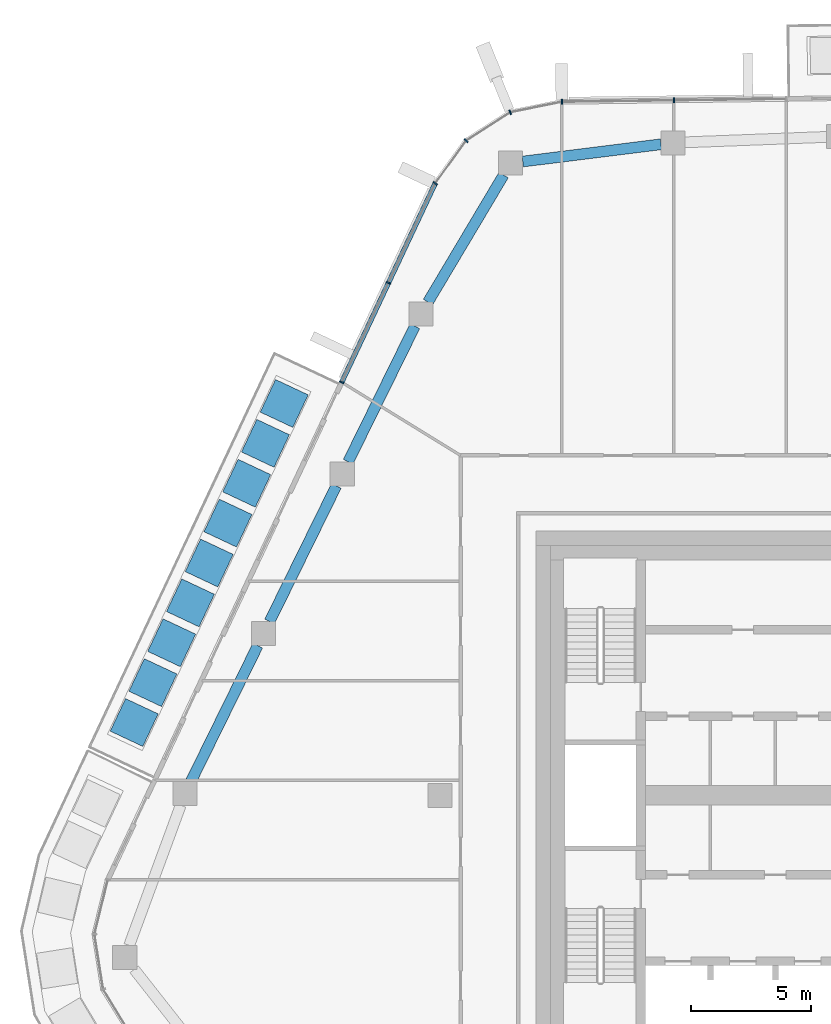
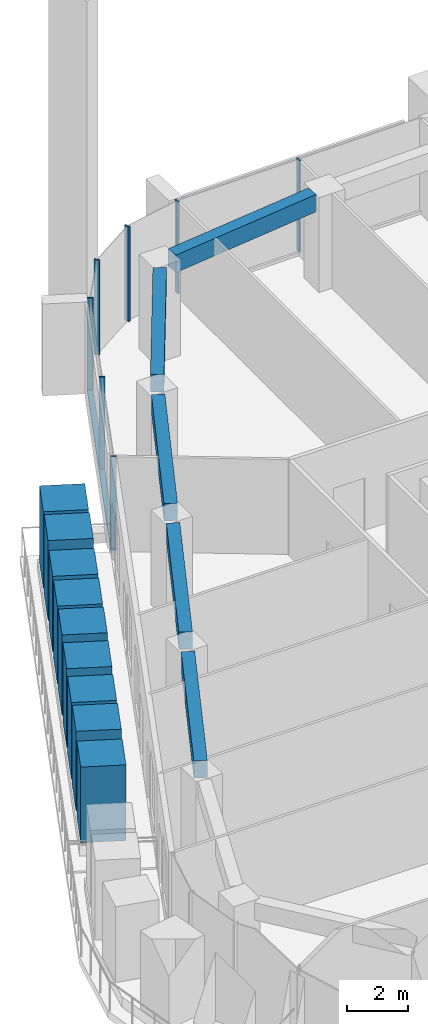
# One storey, part 6 of 24: 17 members, 5 beams, 3 elements without a shape of their own.
"""IFC4 building model written with IfcOpenShell, lengths in metres."""

import ifcopenshell
import ifcopenshell.guid

model = None  # the IFC model being written
_history = None  # IfcOwnerHistory: only IFC2X3 demands one
_inside = {}  # id of a spatial element -> (the spatial element, [elements in it])
_under = {}  # id of a project, library or spatial element -> (it, [spatial elements below it])
_declared = {}  # id of a project -> (the project, [libraries it declares])
_typed = {}  # id of a type object -> (the type object, [elements of that type])
_made_of = {}  # id of a material, layer set ... -> (it, [elements and type objects made of it])


def new_model(schema):
    """Start an empty IFC model of exactly this schema.

    Asked for "IFC4X3", IfcOpenShell would pick the latest addendum, in which some entities
    have other attributes; the version numbers below select the first issue.
    IFC2X3 requires an IfcOwnerHistory on every rooted entity: one is made here for all.
    """
    global model, _history
    if schema == "IFC4X3":
        model = ifcopenshell.file(schema_version=(4, 3, 0, 0))
    else:
        model = ifcopenshell.file(schema=schema)
    _inside.clear()
    _under.clear()
    _declared.clear()
    _typed.clear()
    _made_of.clear()
    _history = None
    if model.schema == "IFC2X3":
        org = make("IfcOrganization", Name="unknown")
        user = make(
            "IfcPersonAndOrganization",
            ThePerson=make("IfcPerson", FamilyName="unknown"),
            TheOrganization=org,
        )
        app = make(
            "IfcApplication",
            ApplicationDeveloper=org,
            Version="unknown",
            ApplicationFullName="unknown",
            ApplicationIdentifier="unknown",
        )
        _history = make(
            "IfcOwnerHistory",
            OwningUser=user,
            OwningApplication=app,
            ChangeAction="ADDED",
            CreationDate=0,
        )
    return model


def make(cls, **values):
    """One entity of the class cls with the attributes given. An attribute that is None is left unset."""
    return model.create_entity(
        cls, **{name: value for name, value in values.items() if value is not None}
    )


def rooted(cls, **values):
    """An entity with a GlobalId (a new one), such as an element, a storey or a relation."""
    return make(cls, GlobalId=ifcopenshell.guid.new(), OwnerHistory=_history, **values)


def si_unit(unit_type, name, prefix=None):
    """IfcSIUnit, for example si_unit("LENGTHUNIT", "METRE", prefix="MILLI")."""
    return make("IfcSIUnit", UnitType=unit_type, Prefix=prefix, Name=name)


def assignment(units):
    """IfcUnitAssignment: the units of a project."""
    return None if units is None else make("IfcUnitAssignment", Units=units)


def point(xyz):
    """IfcCartesianPoint."""
    return None if xyz is None else make("IfcCartesianPoint", Coordinates=xyz)


def direction(xyz):
    """IfcDirection."""
    return None if xyz is None else make("IfcDirection", DirectionRatios=xyz)


def frame(location, z_axis=None, x_axis=None):
    """IfcAxis2Placement3D, a coordinate frame: its origin and axes. An axis left out is left unset."""
    return make(
        "IfcAxis2Placement3D",
        Location=point(location),
        Axis=direction(z_axis),
        RefDirection=direction(x_axis),
    )


def frame_2d(location, x_axis=None):
    """IfcAxis2Placement2D, a coordinate frame in the plane: its origin and x axis."""
    return make(
        "IfcAxis2Placement2D", Location=point(location), RefDirection=direction(x_axis)
    )


def origin():
    """The frame at (0, 0, 0) with its axes left unset."""
    return frame((0.0, 0.0, 0.0))


def origin_2d():
    """The frame at (0, 0) in the plane with its x axis left unset."""
    return frame_2d((0.0, 0.0))


def place(relative_to, where):
    """IfcLocalPlacement: puts the frame where relative to a parent placement (None: the world)."""
    return make(
        "IfcLocalPlacement", PlacementRelTo=relative_to, RelativePlacement=where
    )


def context(
    kind, dimensions, precision=None, world=None, true_north=None, identifier=None
):
    """IfcGeometricRepresentationContext, for example the 3D "Model" context."""
    return make(
        "IfcGeometricRepresentationContext",
        ContextIdentifier=identifier,
        ContextType=kind,
        CoordinateSpaceDimension=dimensions,
        Precision=precision,
        WorldCoordinateSystem=world,
        TrueNorth=true_north,
    )


def subcontext(parent, identifier, kind, view, scale=None):
    """IfcGeometricRepresentationSubContext, for example "Body" below "Model"."""
    return make(
        "IfcGeometricRepresentationSubContext",
        ContextIdentifier=identifier,
        ContextType=kind,
        ParentContext=parent,
        TargetScale=scale,
        TargetView=view,
    )


def project(units=None, contexts=None):
    """IfcProject with its units and contexts."""
    return rooted(
        "IfcProject",
        Name="project",
        RepresentationContexts=contexts,
        UnitsInContext=assignment(units),
    )


def spatial(cls, under=None, at=None, **own):
    """A site, building, storey or space (cls), placed at a placement, below another one or the project."""
    s = rooted(cls, ObjectPlacement=at, **own)
    if under is not None:
        _under.setdefault(under.id(), (under, []))[1].append(s)
    return s


def profile(cls, at=None, kind="AREA", **sizes):
    """A parametric profile (cls). Its sizes go by their IFC names, for example OverallWidth=200.0."""
    return make(cls, ProfileType=kind, Position=at, **sizes)


def rectangle(**sizes):
    """IfcRectangleProfileDef."""
    return profile("IfcRectangleProfileDef", **sizes)


def extrude(swept, where, along, depth):
    """IfcExtrudedAreaSolid: the profile swept, set in the frame where, extruded along a direction by depth."""
    return make(
        "IfcExtrudedAreaSolid",
        SweptArea=swept,
        Position=where,
        ExtrudedDirection=direction(along),
        Depth=depth,
    )


def shape(context_of_items, identifier, shape_type, items):
    """IfcShapeRepresentation: the items that make up one representation, for example the "Body"."""
    return make(
        "IfcShapeRepresentation",
        ContextOfItems=context_of_items,
        RepresentationIdentifier=identifier,
        RepresentationType=shape_type,
        Items=items,
    )


def material(Name=None, Category=None):
    """IfcMaterial."""
    return make("IfcMaterial", Name=Name, Category=Category)


def layer(
    of_material, thickness, ventilated=None, Name=None, Category=None, Priority=None
):
    """IfcMaterialLayer: one layer of a wall or slab, of a material (None: an air gap)."""
    return make(
        "IfcMaterialLayer",
        Material=of_material,
        LayerThickness=thickness,
        IsVentilated=ventilated,
        Name=Name,
        Category=Category,
        Priority=Priority,
    )


def layer_set(layers, Name=None):
    """IfcMaterialLayerSet."""
    return make("IfcMaterialLayerSet", MaterialLayers=layers, LayerSetName=Name)


def material_profile(
    of_material, cross_section, Name=None, Category=None, Priority=None
):
    """IfcMaterialProfile: a cross section and its material."""
    return make(
        "IfcMaterialProfile",
        Name=Name,
        Material=of_material,
        Profile=cross_section,
        Priority=Priority,
        Category=Category,
    )


def profile_set(profiles, Name=None, composite=None):
    """IfcMaterialProfileSet."""
    return make(
        "IfcMaterialProfileSet",
        Name=Name,
        MaterialProfiles=profiles,
        CompositeProfile=composite,
    )


def made_of(thing, what):
    """Note that an element or type object is made of a material, layer set ...; save() writes the relation."""
    if what is not None:
        _made_of.setdefault(what.id(), (what, []))[1].append(thing)
    return thing


def type_object(cls, material=None, **own):
    """A type object (cls), such as IfcWallType, which elements share."""
    return made_of(rooted(cls, **own), material)


def element(
    cls,
    number,
    at=None,
    inside=None,
    cuts=None,
    type_object=None,
    material=None,
    context=None,
    identifier="Body",
    shape_type=None,
    held_by="IfcProductDefinitionShape",
    body=None,
    shapes=None,
    **own,
):
    """One element of the class cls, such as IfcWall. Its Tag is "e" and its number.

    at: its placement. inside: the storey or other place that contains it. cuts: it is an
    opening in that element (IfcRelVoidsElement). A single representation is given by context,
    identifier, shape_type and body (its items); several are given by shapes. held_by: the class
    of the entity that holds the representations. save() writes the other relations.
    """
    e = rooted(cls, Tag="e%d" % number, ObjectPlacement=at, **own)
    if body is not None:
        shapes = [shape(context, identifier, shape_type, body)]
    if shapes is not None:
        e.Representation = make(held_by, Representations=shapes)
    if inside is not None:
        _inside.setdefault(inside.id(), (inside, []))[1].append(e)
    if cuts is not None:
        rooted(
            "IfcRelVoidsElement", RelatingBuildingElement=cuts, RelatedOpeningElement=e
        )
    if type_object is not None:
        _typed.setdefault(type_object.id(), (type_object, []))[1].append(e)
    return made_of(e, material)


def aggregate(whole, parts):
    """IfcRelAggregates: a whole, such as a stair, and the parts it consists of."""
    return rooted("IfcRelAggregates", RelatingObject=whole, RelatedObjects=parts)


def save(model, path):
    """Write the relations noted so far, then the file.

    IfcRelAggregates (storeys below a building ...), IfcRelContainedInSpatialStructure (elements
    in a storey), IfcRelDefinesByType, IfcRelAssociatesMaterial and IfcRelDeclares: one each for
    every whole, place, type object, material and project.
    """
    for whole, parts in _under.values():
        aggregate(whole, parts)
    for where, things in _inside.values():
        rooted(
            "IfcRelContainedInSpatialStructure",
            RelatedElements=things,
            RelatingStructure=where,
        )
    for kind, things in _typed.values():
        rooted("IfcRelDefinesByType", RelatedObjects=things, RelatingType=kind)
    for what, things in _made_of.values():
        rooted("IfcRelAssociatesMaterial", RelatedObjects=things, RelatingMaterial=what)
    for by, libraries in _declared.values():
        rooted("IfcRelDeclares", RelatingContext=by, RelatedDefinitions=libraries)
    model.write(path)


model = new_model("IFC4")

# Units and contexts
model_context = context("Model", 3, precision=1e-05, world=origin(), true_north=direction((0.0, 1.0)))
body_context = subcontext(model_context, "Body", "Model", "MODEL_VIEW")
ifc_project = project(units=[si_unit("LENGTHUNIT", "METRE"), si_unit("AREAUNIT", "SQUARE_METRE"), si_unit("VOLUMEUNIT", "CUBIC_METRE"), si_unit("PLANEANGLEUNIT", "RADIAN"), si_unit("MASSUNIT", "GRAM", prefix="KILO")], contexts=[model_context])

# Site, building, storey
site_placement = place(None, origin())
site = spatial("IfcSite", under=ifc_project, at=site_placement, CompositionType="ELEMENT")
building_placement = place(site_placement, origin())
building = spatial("IfcBuilding", under=site, at=building_placement, Name="Dongbaek Canopy Tower", CompositionType="ELEMENT")
storey_placement = place(building_placement, frame((0.0, 0.0, 332.0)))
storey = spatial("IfcBuildingStorey", under=building, at=storey_placement, Name="L71", CompositionType="ELEMENT", Elevation=332.0)

# Curtain wall, members
ifc_material_1 = material(Name="Aluminium 6063-T6 pale anodised", Category="aluminium")
ifc_layer = layer(ifc_material_1, 0.199951171875)
ifc_layer_set = layer_set([ifc_layer], Name="CW-1 unitised tower curtain wall")
curtain_wall_type = type_object("IfcCurtainWallType", Name="CW-1 unitised tower curtain wall", PredefinedType="NOTDEFINED", material=ifc_layer_set)
curtain_wall_1_placement = place(storey_placement, origin())
curtain_wall_1 = element("IfcCurtainWall", 1, at=curtain_wall_1_placement, inside=storey, type_object=curtain_wall_type, Name="CW-1 curtain wall F1.1", PredefinedType="NOTDEFINED")
ifc_material_2 = material(Name="Aluminium 6063-T6 pale anodised", Category="aluminium")
ifc_material_profile_1 = material_profile(ifc_material_2, rectangle(XDim=0.199951171875, YDim=0.06005859375, at=origin_2d()), Name="CW-1 mullion 60 x 200")
ifc_profile_set_1 = profile_set([ifc_material_profile_1], Name="Aluminium 6063-T6 pale anodised")
member_type_1 = type_object("IfcMemberType", Name="CW-1 mullion 60 x 200", PredefinedType="MULLION", material=ifc_profile_set_1)
member_1_placement = place(storey_placement, frame((-8.267578125, 28.930419921875, 0.1201171875), z_axis=(0.0, 0.0, 1.0), x_axis=(-0.013165315653, 0.999913333476, 0.0)))
member_1 = element("IfcMember", 2, at=member_1_placement, type_object=member_type_1, Name="CW-1 mullion F1.1.2", PredefinedType="MULLION", context=body_context, shape_type="SweptSolid", body=[
    extrude(rectangle(XDim=0.199951171875, YDim=0.06005859375, at=origin_2d()), origin(), (0.0, 0.0, 1.0), 3.699951171875),
])
member_2_placement = place(storey_placement, frame((-12.932373046875, 28.868896484375, 0.1201171875), z_axis=(0.0, 0.0, 1.0), x_axis=(-0.013165315653, 0.999913333476, 0.0)))
member_2 = element("IfcMember", 3, at=member_2_placement, type_object=member_type_1, Name="CW-1 mullion F1.1.3", PredefinedType="MULLION", context=body_context, shape_type="SweptSolid", body=[
    extrude(rectangle(XDim=0.199951171875, YDim=0.06005859375, at=origin_2d()), origin(), (0.0, 0.0, 1.0), 3.699951171875),
])
aggregate(curtain_wall_1, [member_1, member_2])

curtain_wall_2_placement = place(storey_placement, origin())
curtain_wall_2 = element("IfcCurtainWall", 4, at=curtain_wall_2_placement, inside=storey, type_object=curtain_wall_type, Name="CW-1 curtain wall K2.1", PredefinedType="NOTDEFINED")
member_3_placement = place(storey_placement, frame((-15.083984375, 28.433837890625, 0.0), z_axis=(0.0, 0.0, 1.0), x_axis=(-0.376366233723, 0.926470969925, 0.0)))
member_3 = element("IfcMember", 5, at=member_3_placement, type_object=member_type_1, Name="CW-1 mullion K2.1.2", PredefinedType="MULLION", context=body_context, shape_type="SweptSolid", body=[
    extrude(rectangle(XDim=0.199951171875, YDim=0.06005859375, at=origin_2d()), origin(), (0.0, 0.0, 1.0), 3.820068359375),
])
member_4_placement = place(storey_placement, frame((-16.92138671875, 27.25048828125, 0.0), z_axis=(0.0, 0.0, 1.0), x_axis=(-0.687888798164, 0.725816093346, 0.0)))
member_4 = element("IfcMember", 6, at=member_4_placement, type_object=member_type_1, Name="CW-1 mullion K2.1.3", PredefinedType="MULLION", context=body_context, shape_type="SweptSolid", body=[
    extrude(rectangle(XDim=0.199951171875, YDim=0.06005859375, at=origin_2d()), origin(), (0.0, 0.0, 1.0), 3.820068359375),
])
member_5_placement = place(storey_placement, frame((-18.207275390625, 25.471435546875, 0.0), z_axis=(0.0, 0.0, 1.0), x_axis=(-0.810455315225, 0.585800462636, 0.0)))
member_5 = element("IfcMember", 7, at=member_5_placement, type_object=member_type_1, Name="CW-1 mullion K2.1.4", PredefinedType="MULLION", context=body_context, shape_type="SweptSolid", body=[
    extrude(rectangle(XDim=0.199951171875, YDim=0.06005859375, at=origin_2d()), origin(), (0.0, 0.0, 1.0), 3.820068359375),
])
aggregate(curtain_wall_2, [member_3, member_4, member_5])

curtain_wall_3_placement = place(storey_placement, origin())
curtain_wall_3 = element("IfcCurtainWall", 8, at=curtain_wall_3_placement, inside=storey, type_object=curtain_wall_type, Name="CW-1 curtain wall F2.1", PredefinedType="NOTDEFINED")
member_6_placement = place(storey_placement, frame((-20.151123046875, 21.33740234375, 0.1201171875), z_axis=(0.0, 0.0, 1.0), x_axis=(-0.90495825448, 0.425500361514, 0.0)))
member_6 = element("IfcMember", 9, at=member_6_placement, type_object=member_type_1, Name="CW-1 mullion F2.1.2", PredefinedType="MULLION", context=body_context, shape_type="SweptSolid", body=[
    extrude(rectangle(XDim=0.199951171875, YDim=0.06005859375, at=origin_2d()), origin(), (0.0, 0.0, 1.0), 3.699951171875),
])
member_7_placement = place(storey_placement, frame((-22.098876953125, 17.195068359375, 0.1201171875), z_axis=(0.0, 0.0, 1.0), x_axis=(-0.90495825448, 0.425500361514, 0.0)))
member_7 = element("IfcMember", 10, at=member_7_placement, type_object=member_type_1, Name="CW-1 mullion F2.1.3", PredefinedType="MULLION", context=body_context, shape_type="SweptSolid", body=[
    extrude(rectangle(XDim=0.199951171875, YDim=0.06005859375, at=origin_2d()), origin(), (0.0, 0.0, 1.0), 3.699951171875),
])
ifc_material_3 = material(Name="Aluminium 6063-T6 pale anodised", Category="aluminium")
ifc_material_profile_2 = material_profile(ifc_material_3, rectangle(XDim=0.199951171875, YDim=0.1201171875, at=origin_2d()), Name="CW-1 transom 120 x 200")
ifc_profile_set_2 = profile_set([ifc_material_profile_2], Name="Aluminium 6063-T6 pale anodised")
member_type_2 = type_object("IfcMemberType", Name="CW-1 transom 120 x 200", PredefinedType="USERDEFINED", material=ifc_profile_set_2)
member_8_placement = place(storey_placement, frame((-18.207275390625, 25.471435546875, 0.06005859375), z_axis=(-0.425514187384, -0.904951753595, 0.0), x_axis=(0.904951753595, -0.425514187384, 0.0)))
member_8 = element("IfcMember", 11, at=member_8_placement, type_object=member_type_2, Name="CW-1 transom F2.1.1", ObjectType="TRANSOM", PredefinedType="USERDEFINED", context=body_context, shape_type="SweptSolid", body=[
    extrude(rectangle(XDim=0.199951171875, YDim=0.1201171875, at=origin_2d()), origin(), (0.0, 0.0, 1.0), 9.145751953125),
])
aggregate(curtain_wall_3, [member_6, member_7, member_8])

# Beams
ifc_material_4 = material(Name="Concrete C60", Category="concrete")
ifc_material_profile_3 = material_profile(ifc_material_4, rectangle(XDim=0.449951171875, YDim=0.699951171875, at=origin_2d()), Name="RC EDGE BEAM 450x700 C60")
ifc_profile_set_3 = profile_set([ifc_material_profile_3], Name="Concrete C60")
beam_type = type_object("IfcBeamType", Name="RC EDGE BEAM 450x700 C60", PredefinedType="BEAM", material=ifc_profile_set_3)
for number, where, z_axis, x_axis, name in (
    (12, (-28.37109375, 0.5859375, 3.469970703125), (0.441293546446, 0.897362806152, 0.0), (-0.897362806152, 0.441293546446, 0.0), "EDGEBEAM:L71:09"),
    (13, (-25.10107421875, 7.235107421875, 3.469970703125), (0.441433810223, 0.897293815421, 0.0), (-0.897293815421, 0.441433810223, 0.0), "EDGEBEAM:L71:10"),
):
    element("IfcBeam", number, at=place(storey_placement, frame(where, z_axis=z_axis, x_axis=x_axis)), inside=storey, type_object=beam_type, Name=name, PredefinedType="BEAM", context=body_context, shape_type="SweptSolid", body=[
        extrude(rectangle(XDim=0.449951171875, YDim=0.699951171875, at=origin_2d()), origin(), (0.0, 0.0, 1.0), 6.29541015625),
    ])
beam_1_placement = place(storey_placement, frame((-21.830078125, 13.884033203125, 3.469970703125), z_axis=(0.441370345445, 0.897325034846, 0.0), x_axis=(-0.897325034846, 0.441370345445, 0.0)))
element("IfcBeam", 14, at=beam_1_placement, inside=storey, type_object=beam_type, Name="EDGEBEAM:L71:11", PredefinedType="BEAM", context=body_context, shape_type="SweptSolid", body=[
    extrude(rectangle(XDim=0.449951171875, YDim=0.699951171875, at=origin_2d()), origin(), (0.0, 0.0, 1.0), 6.294189453125),
])
beam_2_placement = place(storey_placement, frame((-18.50830078125, 20.531982421875, 3.469970703125), z_axis=(0.511535459107, 0.859262168419, 0.0), x_axis=(-0.859262168419, 0.511535459107, 0.0)))
element("IfcBeam", 15, at=beam_2_placement, inside=storey, type_object=beam_type, Name="EDGEBEAM:L71:12", PredefinedType="BEAM", context=body_context, shape_type="SweptSolid", body=[
    extrude(rectangle(XDim=0.449951171875, YDim=0.699951171875, at=origin_2d()), origin(), (0.0, 0.0, 1.0), 6.1552734375),
])
beam_3_placement = place(storey_placement, frame((-14.56201171875, 26.38330078125, 3.469970703125), z_axis=(0.992296006086, 0.123889613389, 0.0), x_axis=(-0.123889613389, 0.992296006086, 0.0)))
element("IfcBeam", 16, at=beam_3_placement, inside=storey, type_object=beam_type, Name="EDGEBEAM:L71:13", PredefinedType="BEAM", context=body_context, shape_type="SweptSolid", body=[
    extrude(rectangle(XDim=0.449951171875, YDim=0.699951171875, at=origin_2d()), origin(), (0.0, 0.0, 1.0), 5.797607421875),
])

# Members
ifc_material_5 = material(Name="Concrete C40/50 planter mass with planting", Category="concrete")
ifc_material_profile_4 = material_profile(ifc_material_5, rectangle(XDim=1.5, YDim=1.5, at=origin_2d()), Name="Terrace PLANTER shrub mass 1500 x 1500")
ifc_profile_set_4 = profile_set([ifc_material_profile_4], Name="Concrete C40/50 planter mass with planting")
member_type_3 = type_object("IfcMemberType", Name="Terrace PLANTER shrub mass 1500 x 1500", PredefinedType="USERDEFINED", material=ifc_profile_set_4)
member_9_placement = place(storey_placement, frame((-24.491943359375, 16.312255859375, 0.419921875), z_axis=(0.0, 0.0, 1.0), x_axis=(-0.90495825448, 0.425500361514, 0.0)))
element("IfcMember", 17, at=member_9_placement, inside=storey, type_object=member_type_3, Name="Planter shrubs L71 3.1", ObjectType="PLANTER", PredefinedType="USERDEFINED", context=body_context, shape_type="SweptSolid", body=[
    extrude(rectangle(XDim=1.5, YDim=1.5, at=origin_2d()), origin(), (0.0, 0.0, 1.0), 3.090087890625),
])
member_10_placement = place(storey_placement, frame((-25.2724609375, 14.65234375, 0.419921875), z_axis=(0.0, 0.0, 1.0), x_axis=(-0.90495825448, 0.425500361514, 0.0)))
element("IfcMember", 18, at=member_10_placement, inside=storey, type_object=member_type_3, Name="Planter shrubs L71 3.2", ObjectType="PLANTER", PredefinedType="USERDEFINED", context=body_context, shape_type="SweptSolid", body=[
    extrude(rectangle(XDim=1.5, YDim=1.5, at=origin_2d()), origin(), (0.0, 0.0, 1.0), 3.2099609375),
])
member_11_placement = place(storey_placement, frame((-26.052978515625, 12.9921875, 0.419921875), z_axis=(0.0, 0.0, 1.0), x_axis=(-0.90495825448, 0.425500361514, 0.0)))
element("IfcMember", 19, at=member_11_placement, inside=storey, type_object=member_type_3, Name="Planter shrubs L71 3.3", ObjectType="PLANTER", PredefinedType="USERDEFINED", context=body_context, shape_type="SweptSolid", body=[
    extrude(rectangle(XDim=1.5, YDim=1.5, at=origin_2d()), origin(), (0.0, 0.0, 1.0), 3.050048828125),
])
member_12_placement = place(storey_placement, frame((-26.83349609375, 11.332275390625, 0.419921875), z_axis=(0.0, 0.0, 1.0), x_axis=(-0.90495825448, 0.425500361514, 0.0)))
element("IfcMember", 20, at=member_12_placement, inside=storey, type_object=member_type_3, Name="Planter shrubs L71 3.4", ObjectType="PLANTER", PredefinedType="USERDEFINED", context=body_context, shape_type="SweptSolid", body=[
    extrude(rectangle(XDim=1.5, YDim=1.5, at=origin_2d()), origin(), (0.0, 0.0, 1.0), 3.130126953125),
])
member_13_placement = place(storey_placement, frame((-27.614013671875, 9.672119140625, 0.419921875), z_axis=(0.0, 0.0, 1.0), x_axis=(-0.90495825448, 0.425500361514, 0.0)))
element("IfcMember", 21, at=member_13_placement, inside=storey, type_object=member_type_3, Name="Planter shrubs L71 3.5", ObjectType="PLANTER", PredefinedType="USERDEFINED", context=body_context, shape_type="SweptSolid", body=[
    extrude(rectangle(XDim=1.5, YDim=1.5, at=origin_2d()), origin(), (0.0, 0.0, 1.0), 3.25),
])
member_14_placement = place(storey_placement, frame((-28.39453125, 8.01220703125, 0.419921875), z_axis=(0.0, 0.0, 1.0), x_axis=(-0.90495825448, 0.425500361514, 0.0)))
element("IfcMember", 22, at=member_14_placement, inside=storey, type_object=member_type_3, Name="Planter shrubs L71 3.6", ObjectType="PLANTER", PredefinedType="USERDEFINED", context=body_context, shape_type="SweptSolid", body=[
    extrude(rectangle(XDim=1.5, YDim=1.5, at=origin_2d()), origin(), (0.0, 0.0, 1.0), 3.170166015625),
])
member_15_placement = place(storey_placement, frame((-29.175048828125, 6.35205078125, 0.419921875), z_axis=(0.0, 0.0, 1.0), x_axis=(-0.90495825448, 0.425500361514, 0.0)))
element("IfcMember", 23, at=member_15_placement, inside=storey, type_object=member_type_3, Name="Planter shrubs L71 3.7", ObjectType="PLANTER", PredefinedType="USERDEFINED", context=body_context, shape_type="SweptSolid", body=[
    extrude(rectangle(XDim=1.5, YDim=1.5, at=origin_2d()), origin(), (0.0, 0.0, 1.0), 3.090087890625),
])
member_16_placement = place(storey_placement, frame((-29.95556640625, 4.692138671875, 0.419921875), z_axis=(0.0, 0.0, 1.0), x_axis=(-0.90495825448, 0.425500361514, 0.0)))
element("IfcMember", 24, at=member_16_placement, inside=storey, type_object=member_type_3, Name="Planter shrubs L71 3.8", ObjectType="PLANTER", PredefinedType="USERDEFINED", context=body_context, shape_type="SweptSolid", body=[
    extrude(rectangle(XDim=1.5, YDim=1.5, at=origin_2d()), origin(), (0.0, 0.0, 1.0), 3.2099609375),
])
member_17_placement = place(storey_placement, frame((-30.736083984375, 3.031982421875, 0.419921875), z_axis=(0.0, 0.0, 1.0), x_axis=(-0.90495825448, 0.425500361514, 0.0)))
element("IfcMember", 25, at=member_17_placement, inside=storey, type_object=member_type_3, Name="Planter shrubs L71 3.9", ObjectType="PLANTER", PredefinedType="USERDEFINED", context=body_context, shape_type="SweptSolid", body=[
    extrude(rectangle(XDim=1.5, YDim=1.5, at=origin_2d()), origin(), (0.0, 0.0, 1.0), 3.050048828125),
])

save(model, "model.ifc")
